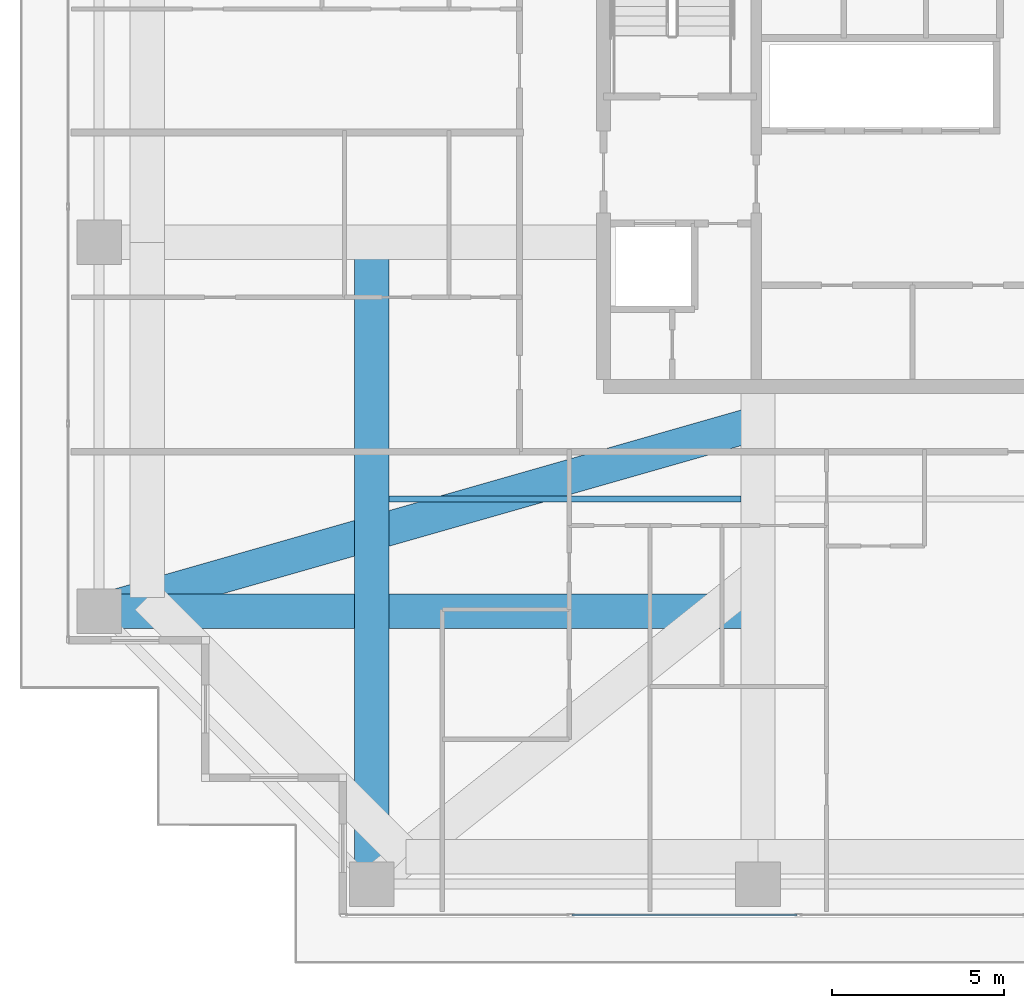
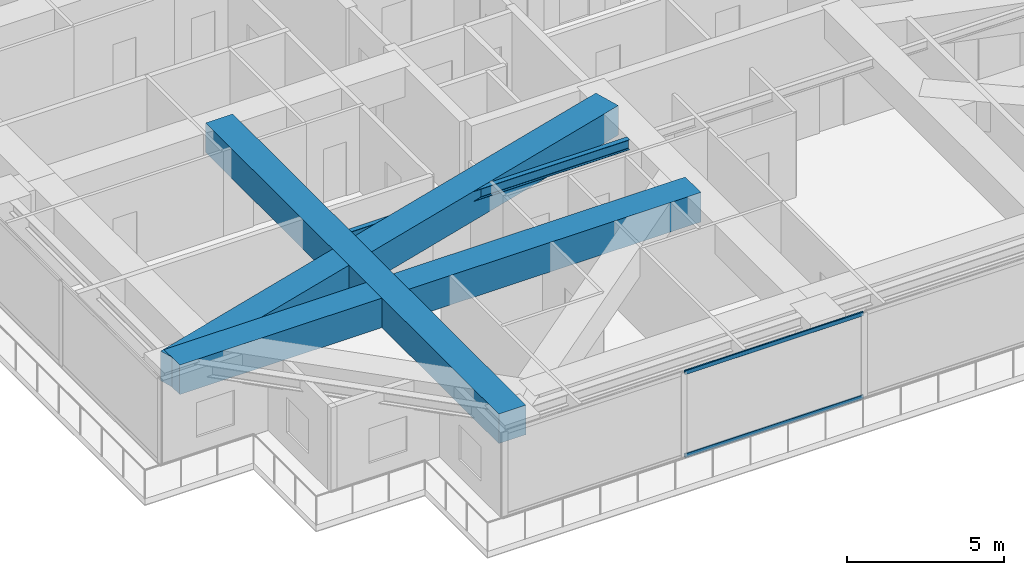
# One storey, part 4 of 32: 4 beams, 2 members, 1 element without a shape of its own.
"""IFC4 building model written with IfcOpenShell, lengths in metres."""

from ifc_helpers import new_model, si_unit, direction, frame, origin, origin_2d, place, context, subcontext, project, spatial, rectangle, hollow_rectangle, i_section, extrude, source, transform, mapped, material, layer, layer_set, material_profile, profile_set, type_object, element, aggregate, save


model = new_model("IFC4")

# Units and contexts
model_context = context("Model", 3, precision=1e-05, world=origin(), true_north=direction((0.0, 1.0)))
body_context = subcontext(model_context, "Body", "Model", "MODEL_VIEW")
ifc_project = project(units=[si_unit("LENGTHUNIT", "METRE"), si_unit("AREAUNIT", "SQUARE_METRE"), si_unit("VOLUMEUNIT", "CUBIC_METRE"), si_unit("PLANEANGLEUNIT", "RADIAN"), si_unit("MASSUNIT", "GRAM", prefix="KILO")], contexts=[model_context])

# Site, building, storey
site_placement = place(None, origin())
site = spatial("IfcSite", under=ifc_project, at=site_placement, CompositionType="ELEMENT")
building_placement = place(site_placement, origin())
building = spatial("IfcBuilding", under=site, at=building_placement, Name="Serunith Strait Residences", CompositionType="ELEMENT")
storey_placement = place(building_placement, frame((0.0, 0.0, 195.14990234375)))
storey = spatial("IfcBuildingStorey", under=building, at=storey_placement, Name="L49", CompositionType="ELEMENT", Elevation=195.14990234375)

# Beams
ifc_material_1 = material(Name="Concrete C80/95", Category="concrete")
ifc_material_profile_1 = material_profile(ifc_material_1, rectangle(XDim=1.0, YDim=1.14990234375, at=origin_2d()), Name="RC 1000x1150")
ifc_profile_set_1 = profile_set([ifc_material_profile_1], Name="Concrete C80/95")
beam_type_1 = type_object("IfcBeamType", Name="BM-XFER-1000x1150", PredefinedType="BEAM", material=ifc_profile_set_1)
shared_shape_1 = source(origin(), body_context, "Body", "SweptSolid", [
    extrude(rectangle(XDim=1.0, YDim=1.14990234375, at=origin_2d()), origin(), (0.0, 0.0, 1.0), 18.699951171875),
])
beam_1_placement = place(storey_placement, frame((16.64990234375, 21.0, 2.735107421875), z_axis=(0.0, -1.0, 0.0), x_axis=(1.0, 0.0, 0.0)))
element("IfcBeam", 1, at=beam_1_placement, inside=storey, type_object=beam_type_1, Name="L49 Orthogonal Corner Girder TC-S1", PredefinedType="BEAM", context=body_context, shape_type="MappedRepresentation", body=[
    mapped(shared_shape_1, transform((0.0, 0.0, 0.0), scale=1.0)),
])
shared_shape_2 = source(origin(), body_context, "Body", "SweptSolid", [
    extrude(rectangle(XDim=1.0, YDim=1.14990234375, at=origin_2d()), origin(), (0.0, 0.0, 1.0), 19.199951171875),
])
beam_2_placement = place(storey_placement, frame((27.89990234375, 10.25, 2.735107421875), z_axis=(-1.0, 0.0, 0.0), x_axis=(0.0, -1.0, 0.0)))
element("IfcBeam", 2, at=beam_2_placement, inside=storey, type_object=beam_type_1, Name="L49 Orthogonal Corner Girder TC-W1", PredefinedType="BEAM", context=body_context, shape_type="MappedRepresentation", body=[
    mapped(shared_shape_2, transform((0.0, 0.0, 0.0), scale=1.0)),
])
shared_shape_3 = source(origin(), body_context, "Body", "SweptSolid", [
    extrude(rectangle(XDim=1.0, YDim=1.14990234375, at=origin_2d()), origin(), (0.0, 0.0, 1.0), 19.96826171875),
])
beam_3_placement = place(storey_placement, frame((8.699951171875, 10.25, 2.735107421875), z_axis=(0.961525331756, 0.274716283448, 0.0), x_axis=(-0.274716283448, 0.961525331756, 0.0)))
element("IfcBeam", 3, at=beam_3_placement, inside=storey, type_object=beam_type_1, Name="L49 Diagonal Corner Transfer Girder TC-W1", PredefinedType="BEAM", context=body_context, shape_type="MappedRepresentation", body=[
    mapped(shared_shape_3, transform((0.0, 0.0, 0.0), scale=1.0)),
])
ifc_material_2 = material(Name="Steel S355J2", Category="steel")
ifc_material_profile_2 = material_profile(ifc_material_2, i_section(OverallWidth=0.179931640625, OverallDepth=0.39990234375, WebThickness=0.008544921875, FlangeThickness=0.013427734375, FilletRadius=0.02099609375, at=origin_2d()), Name="IPE 400")
ifc_profile_set_2 = profile_set([ifc_material_profile_2], Name="Steel S355J2")
beam_type_2 = type_object("IfcBeamType", Name="BM-IPE400", PredefinedType="JOIST", material=ifc_profile_set_2)
shared_shape_4 = source(origin(), body_context, "Body", "SweptSolid", [
    extrude(i_section(OverallWidth=0.179931640625, OverallDepth=0.39990234375, WebThickness=0.008544921875, FlangeThickness=0.013427734375, FilletRadius=0.02099609375, at=origin_2d()), origin(), (0.0, 0.0, 1.0), 10.25),
])
beam_4_placement = place(storey_placement, frame((17.14990234375, 13.52490234375, 3.107177734375), z_axis=(1.0, 0.0, 0.0), x_axis=(0.0, 1.0, 0.0)))
element("IfcBeam", 4, at=beam_4_placement, inside=storey, type_object=beam_type_2, Name="L49 Composite Floor Joist 01", PredefinedType="JOIST", context=body_context, shape_type="MappedRepresentation", body=[
    mapped(shared_shape_4, transform((0.0, 0.0, 0.0), scale=1.0)),
])

# Curtain wall, members
ifc_material_3 = material(Name="Pale-Silver PVDF Aluminium", Category="aluminium")
ifc_layer = layer(ifc_material_3, 0.199951171875, Name="Pale-Silver PVDF Aluminium")
ifc_layer_set = layer_set([ifc_layer], Name="Pale-Silver PVDF Aluminium")
curtain_wall_type = type_object("IfcCurtainWallType", Name="CW-SYS3", PredefinedType="NOTDEFINED", material=ifc_layer_set)
curtain_wall_placement = place(storey_placement, origin())
curtain_wall = element("IfcCurtainWall", 5, at=curtain_wall_placement, inside=storey, type_object=curtain_wall_type, Name="L49 S Unitised Fritted Curtain Wall", PredefinedType="NOTDEFINED")
ifc_material_profile_3 = material_profile(ifc_material_3, hollow_rectangle(XDim=0.06005859375, YDim=0.159912109375, WallThickness=0.00341796875, InnerFilletRadius=0.00537109375, OuterFilletRadius=0.0087890625, at=origin_2d()), Name="ALU 160x60x3.5")
ifc_profile_set_3 = profile_set([ifc_material_profile_3], Name="Pale-Silver PVDF Aluminium")
member_type = type_object("IfcMemberType", Name="CW-SYS3-TRAN", PredefinedType="USERDEFINED", material=ifc_profile_set_3)
shared_shape_5 = source(origin(), body_context, "Body", "SweptSolid", [
    extrude(hollow_rectangle(XDim=0.06005859375, YDim=0.159912109375, WallThickness=0.00341796875, InnerFilletRadius=0.00537109375, OuterFilletRadius=0.0087890625, at=origin_2d()), origin(), (0.0, 0.0, 1.0), 6.56494140625),
])
member_1_placement = place(storey_placement, frame((22.4775390625, 1.39990234375, 0.030029296875), z_axis=(1.0, 0.0, 0.0), x_axis=(0.0, 1.0, 0.0)))
member_1 = element("IfcMember", 6, at=member_1_placement, type_object=member_type, Name="CW-3 transom 2.1", ObjectType="TRANSOM", PredefinedType="USERDEFINED", context=body_context, shape_type="MappedRepresentation", body=[
    mapped(shared_shape_5, transform((0.0, 0.0, 0.0), scale=1.0)),
])
member_2_placement = place(storey_placement, frame((22.4775390625, 1.39990234375, 3.26513671875), z_axis=(1.0, 0.0, 0.0), x_axis=(0.0, 1.0, 0.0)))
member_2 = element("IfcMember", 7, at=member_2_placement, type_object=member_type, Name="CW-3 transom 2.2", ObjectType="TRANSOM", PredefinedType="USERDEFINED", context=body_context, shape_type="MappedRepresentation", body=[
    mapped(shared_shape_5, transform((0.0, 0.0, 0.0), scale=1.0)),
])
aggregate(curtain_wall, [member_1, member_2])

save(model, "model.ifc")
